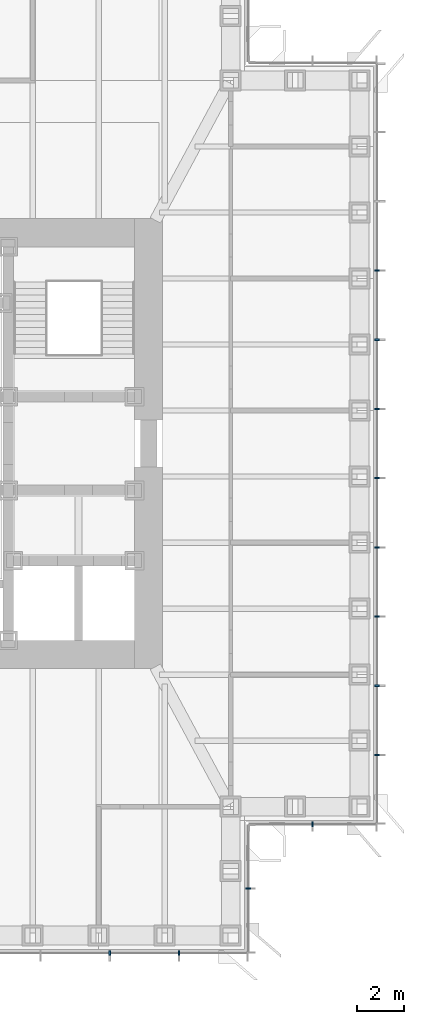
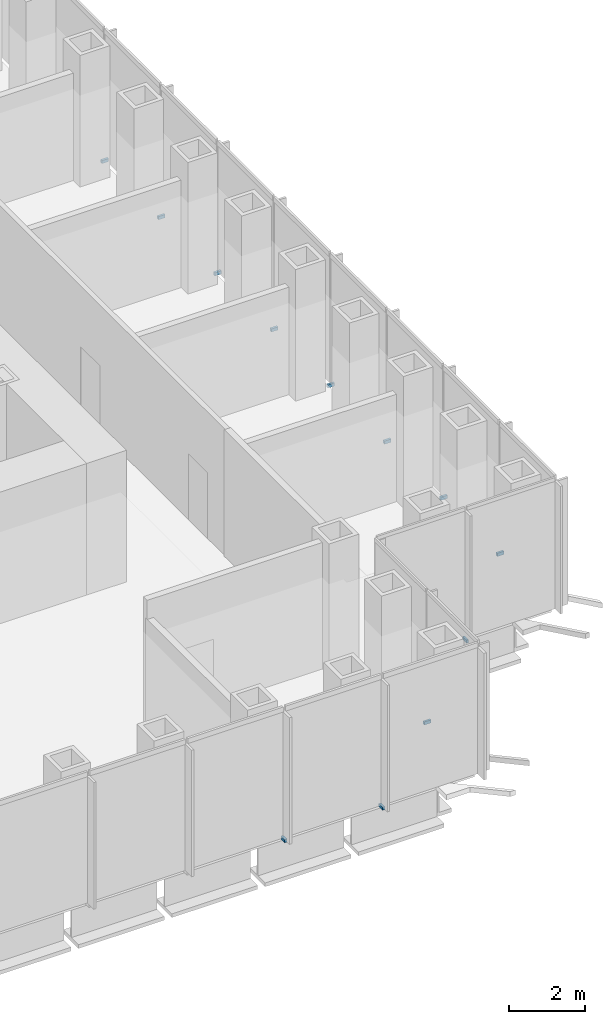
# One storey, part 13 of 17: 12 discrete accessories.
"""IFC4 building model written with IfcOpenShell, lengths in metres."""

import ifcopenshell
import ifcopenshell.guid

model = None  # the IFC model being written
_history = None  # IfcOwnerHistory: only IFC2X3 demands one
_inside = {}  # id of a spatial element -> (the spatial element, [elements in it])
_under = {}  # id of a project, library or spatial element -> (it, [spatial elements below it])
_declared = {}  # id of a project -> (the project, [libraries it declares])
_typed = {}  # id of a type object -> (the type object, [elements of that type])
_made_of = {}  # id of a material, layer set ... -> (it, [elements and type objects made of it])


def new_model(schema):
    """Start an empty IFC model of exactly this schema.

    Asked for "IFC4X3", IfcOpenShell would pick the latest addendum, in which some entities
    have other attributes; the version numbers below select the first issue.
    IFC2X3 requires an IfcOwnerHistory on every rooted entity: one is made here for all.
    """
    global model, _history
    if schema == "IFC4X3":
        model = ifcopenshell.file(schema_version=(4, 3, 0, 0))
    else:
        model = ifcopenshell.file(schema=schema)
    _inside.clear()
    _under.clear()
    _declared.clear()
    _typed.clear()
    _made_of.clear()
    _history = None
    if model.schema == "IFC2X3":
        org = make("IfcOrganization", Name="unknown")
        user = make(
            "IfcPersonAndOrganization",
            ThePerson=make("IfcPerson", FamilyName="unknown"),
            TheOrganization=org,
        )
        app = make(
            "IfcApplication",
            ApplicationDeveloper=org,
            Version="unknown",
            ApplicationFullName="unknown",
            ApplicationIdentifier="unknown",
        )
        _history = make(
            "IfcOwnerHistory",
            OwningUser=user,
            OwningApplication=app,
            ChangeAction="ADDED",
            CreationDate=0,
        )
    return model


def make(cls, **values):
    """One entity of the class cls with the attributes given. An attribute that is None is left unset."""
    return model.create_entity(
        cls, **{name: value for name, value in values.items() if value is not None}
    )


def rooted(cls, **values):
    """An entity with a GlobalId (a new one), such as an element, a storey or a relation."""
    return make(cls, GlobalId=ifcopenshell.guid.new(), OwnerHistory=_history, **values)


def si_unit(unit_type, name, prefix=None):
    """IfcSIUnit, for example si_unit("LENGTHUNIT", "METRE", prefix="MILLI")."""
    return make("IfcSIUnit", UnitType=unit_type, Prefix=prefix, Name=name)


def assignment(units):
    """IfcUnitAssignment: the units of a project."""
    return None if units is None else make("IfcUnitAssignment", Units=units)


def point(xyz):
    """IfcCartesianPoint."""
    return None if xyz is None else make("IfcCartesianPoint", Coordinates=xyz)


def direction(xyz):
    """IfcDirection."""
    return None if xyz is None else make("IfcDirection", DirectionRatios=xyz)


def frame(location, z_axis=None, x_axis=None):
    """IfcAxis2Placement3D, a coordinate frame: its origin and axes. An axis left out is left unset."""
    return make(
        "IfcAxis2Placement3D",
        Location=point(location),
        Axis=direction(z_axis),
        RefDirection=direction(x_axis),
    )


def frame_2d(location, x_axis=None):
    """IfcAxis2Placement2D, a coordinate frame in the plane: its origin and x axis."""
    return make(
        "IfcAxis2Placement2D", Location=point(location), RefDirection=direction(x_axis)
    )


def origin():
    """The frame at (0, 0, 0) with its axes left unset."""
    return frame((0.0, 0.0, 0.0))


def origin_2d():
    """The frame at (0, 0) in the plane with its x axis left unset."""
    return frame_2d((0.0, 0.0))


def place(relative_to, where):
    """IfcLocalPlacement: puts the frame where relative to a parent placement (None: the world)."""
    return make(
        "IfcLocalPlacement", PlacementRelTo=relative_to, RelativePlacement=where
    )


def context(
    kind, dimensions, precision=None, world=None, true_north=None, identifier=None
):
    """IfcGeometricRepresentationContext, for example the 3D "Model" context."""
    return make(
        "IfcGeometricRepresentationContext",
        ContextIdentifier=identifier,
        ContextType=kind,
        CoordinateSpaceDimension=dimensions,
        Precision=precision,
        WorldCoordinateSystem=world,
        TrueNorth=true_north,
    )


def subcontext(parent, identifier, kind, view, scale=None):
    """IfcGeometricRepresentationSubContext, for example "Body" below "Model"."""
    return make(
        "IfcGeometricRepresentationSubContext",
        ContextIdentifier=identifier,
        ContextType=kind,
        ParentContext=parent,
        TargetScale=scale,
        TargetView=view,
    )


def project(units=None, contexts=None):
    """IfcProject with its units and contexts."""
    return rooted(
        "IfcProject",
        Name="project",
        RepresentationContexts=contexts,
        UnitsInContext=assignment(units),
    )


def spatial(cls, under=None, at=None, **own):
    """A site, building, storey or space (cls), placed at a placement, below another one or the project."""
    s = rooted(cls, ObjectPlacement=at, **own)
    if under is not None:
        _under.setdefault(under.id(), (under, []))[1].append(s)
    return s


def profile(cls, at=None, kind="AREA", **sizes):
    """A parametric profile (cls). Its sizes go by their IFC names, for example OverallWidth=200.0."""
    return make(cls, ProfileType=kind, Position=at, **sizes)


def rectangle(**sizes):
    """IfcRectangleProfileDef."""
    return profile("IfcRectangleProfileDef", **sizes)


def extrude(swept, where, along, depth):
    """IfcExtrudedAreaSolid: the profile swept, set in the frame where, extruded along a direction by depth."""
    return make(
        "IfcExtrudedAreaSolid",
        SweptArea=swept,
        Position=where,
        ExtrudedDirection=direction(along),
        Depth=depth,
    )


def shape(context_of_items, identifier, shape_type, items):
    """IfcShapeRepresentation: the items that make up one representation, for example the "Body"."""
    return make(
        "IfcShapeRepresentation",
        ContextOfItems=context_of_items,
        RepresentationIdentifier=identifier,
        RepresentationType=shape_type,
        Items=items,
    )


def made_of(thing, what):
    """Note that an element or type object is made of a material, layer set ...; save() writes the relation."""
    if what is not None:
        _made_of.setdefault(what.id(), (what, []))[1].append(thing)
    return thing


def element(
    cls,
    number,
    at=None,
    inside=None,
    cuts=None,
    type_object=None,
    material=None,
    context=None,
    identifier="Body",
    shape_type=None,
    held_by="IfcProductDefinitionShape",
    body=None,
    shapes=None,
    **own,
):
    """One element of the class cls, such as IfcWall. Its Tag is "e" and its number.

    at: its placement. inside: the storey or other place that contains it. cuts: it is an
    opening in that element (IfcRelVoidsElement). A single representation is given by context,
    identifier, shape_type and body (its items); several are given by shapes. held_by: the class
    of the entity that holds the representations. save() writes the other relations.
    """
    e = rooted(cls, Tag="e%d" % number, ObjectPlacement=at, **own)
    if body is not None:
        shapes = [shape(context, identifier, shape_type, body)]
    if shapes is not None:
        e.Representation = make(held_by, Representations=shapes)
    if inside is not None:
        _inside.setdefault(inside.id(), (inside, []))[1].append(e)
    if cuts is not None:
        rooted(
            "IfcRelVoidsElement", RelatingBuildingElement=cuts, RelatedOpeningElement=e
        )
    if type_object is not None:
        _typed.setdefault(type_object.id(), (type_object, []))[1].append(e)
    return made_of(e, material)


def aggregate(whole, parts):
    """IfcRelAggregates: a whole, such as a stair, and the parts it consists of."""
    return rooted("IfcRelAggregates", RelatingObject=whole, RelatedObjects=parts)


def save(model, path):
    """Write the relations noted so far, then the file.

    IfcRelAggregates (storeys below a building ...), IfcRelContainedInSpatialStructure (elements
    in a storey), IfcRelDefinesByType, IfcRelAssociatesMaterial and IfcRelDeclares: one each for
    every whole, place, type object, material and project.
    """
    for whole, parts in _under.values():
        aggregate(whole, parts)
    for where, things in _inside.values():
        rooted(
            "IfcRelContainedInSpatialStructure",
            RelatedElements=things,
            RelatingStructure=where,
        )
    for kind, things in _typed.values():
        rooted("IfcRelDefinesByType", RelatedObjects=things, RelatingType=kind)
    for what, things in _made_of.values():
        rooted("IfcRelAssociatesMaterial", RelatedObjects=things, RelatingMaterial=what)
    for by, libraries in _declared.values():
        rooted("IfcRelDeclares", RelatingContext=by, RelatedDefinitions=libraries)
    model.write(path)


model = new_model("IFC4")

# Units and contexts
model_context = context("Model", 3, precision=1e-05, world=origin(), true_north=direction((0.0, 1.0)))
body_context = subcontext(model_context, "Body", "Model", "MODEL_VIEW")
ifc_project = project(units=[si_unit("LENGTHUNIT", "METRE"), si_unit("AREAUNIT", "SQUARE_METRE"), si_unit("VOLUMEUNIT", "CUBIC_METRE"), si_unit("PLANEANGLEUNIT", "RADIAN"), si_unit("MASSUNIT", "GRAM", prefix="KILO")], contexts=[model_context])

# Site, building, storey
site_placement = place(None, origin())
site = spatial("IfcSite", under=ifc_project, at=site_placement, CompositionType="ELEMENT")
building_placement = place(site_placement, origin())
building = spatial("IfcBuilding", under=site, at=building_placement, Name="Daluyong Arena Tower", CompositionType="ELEMENT")
storey_placement = place(building_placement, frame((0.0, 0.0, 185.5)))
storey = spatial("IfcBuildingStorey", under=building, at=storey_placement, Name="L41", CompositionType="ELEMENT", Elevation=185.5)

# Discrete accessories
for number, where, z_axis, x_axis, name in (
    (1, (66.3408203125, 58.25, -0.10009765625), (0.0, 0.0, 1.0), (1.0, 0.0, 0.0), "curtain wall L41 S anchor bracket 10"),
    (2, (69.29541015625, 58.25, -0.10009765625), (0.0, 0.0, 1.0), (1.0, 0.0, 0.0), "curtain wall L41 S anchor bracket 11"),
):
    element("IfcDiscreteAccessory", number, at=place(storey_placement, frame(where, z_axis=z_axis, x_axis=x_axis)), inside=storey, Name=name, PredefinedType="BRACKET", context=body_context, shape_type="SweptSolid", body=[
        extrude(rectangle(XDim=0.070068359375, YDim=0.199951171875, at=origin_2d()), origin(), (0.0, 0.0, 1.0), 0.10009765625),
    ])
for number, where, z_axis, x_axis, name in (
    (3, (72.25, 61.0, -0.10009765625), (0.0, 0.0, 1.0), (0.0, 1.0, 0.0), "curtain wall L41 SE-E anchor bracket 2"),
    (4, (75.0, 63.75, -0.10009765625), (0.0, 0.0, 1.0), (1.0, 0.0, 0.0), "curtain wall L41 SE-S anchor bracket 2"),
):
    element("IfcDiscreteAccessory", number, at=place(storey_placement, frame(where, z_axis=z_axis, x_axis=x_axis)), inside=storey, Name=name, PredefinedType="BRACKET", context=body_context, shape_type="SweptSolid", body=[
        extrude(rectangle(XDim=0.06005859375, YDim=0.199951171875, at=origin_2d()), origin(), (0.0, 0.0, 1.0), 0.10009765625),
    ])
for number, where, z_axis, x_axis, name in (
    (5, (77.75, 66.70458984375, -0.10009765625), (0.0, 0.0, 1.0), (0.0, 1.0, 0.0), "curtain wall L41 E anchor bracket 2"),
    (6, (77.75, 69.6591796875, -0.10009765625), (0.0, 0.0, 1.0), (0.0, 1.0, 0.0), "curtain wall L41 E anchor bracket 3"),
    (7, (77.75, 72.613525390625, -0.10009765625), (0.0, 0.0, 1.0), (0.0, 1.0, 0.0), "curtain wall L41 E anchor bracket 4"),
    (8, (77.75, 75.568115234375, -0.10009765625), (0.0, 0.0, 1.0), (0.0, 1.0, 0.0), "curtain wall L41 E anchor bracket 5"),
    (9, (77.75, 78.522705078125, -0.10009765625), (0.0, 0.0, 1.0), (0.0, 1.0, 0.0), "curtain wall L41 E anchor bracket 6"),
    (10, (77.75, 81.477294921875, -0.10009765625), (0.0, 0.0, 1.0), (0.0, 1.0, 0.0), "curtain wall L41 E anchor bracket 7"),
    (11, (77.75, 84.431884765625, -0.10009765625), (0.0, 0.0, 1.0), (0.0, 1.0, 0.0), "curtain wall L41 E anchor bracket 8"),
    (12, (77.75, 87.386474609375, -0.10009765625), (0.0, 0.0, 1.0), (0.0, 1.0, 0.0), "curtain wall L41 E anchor bracket 9"),
):
    element("IfcDiscreteAccessory", number, at=place(storey_placement, frame(where, z_axis=z_axis, x_axis=x_axis)), inside=storey, Name=name, PredefinedType="BRACKET", context=body_context, shape_type="SweptSolid", body=[
        extrude(rectangle(XDim=0.070068359375, YDim=0.199951171875, at=origin_2d()), origin(), (0.0, 0.0, 1.0), 0.10009765625),
    ])

save(model, "model.ifc")
